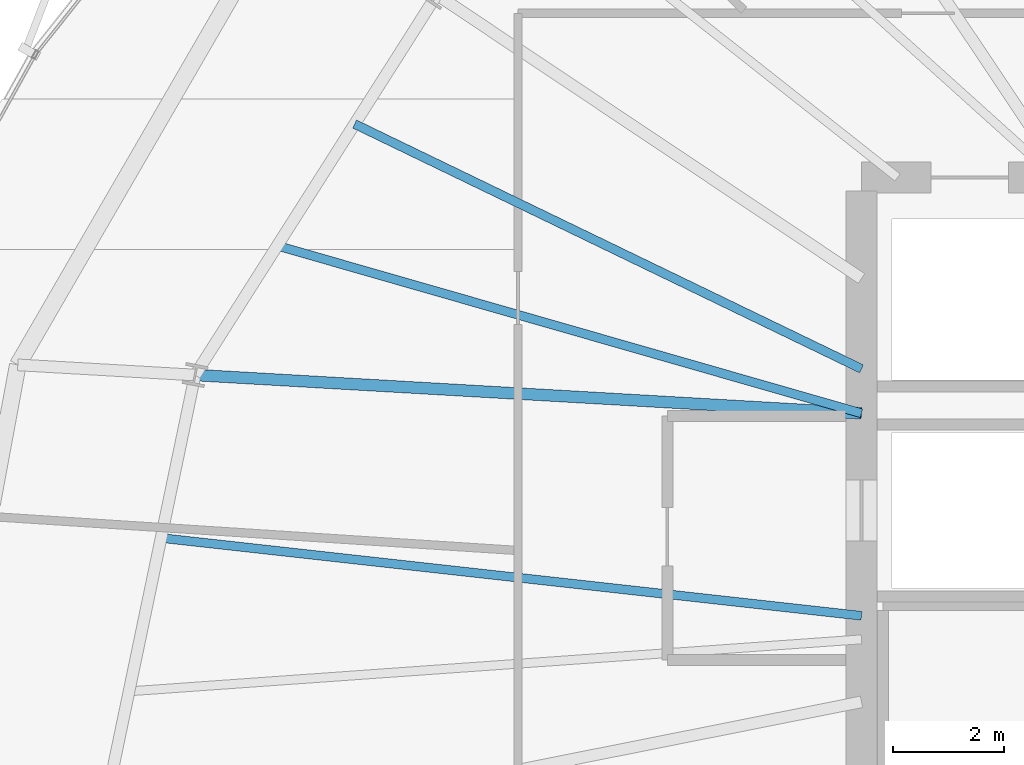
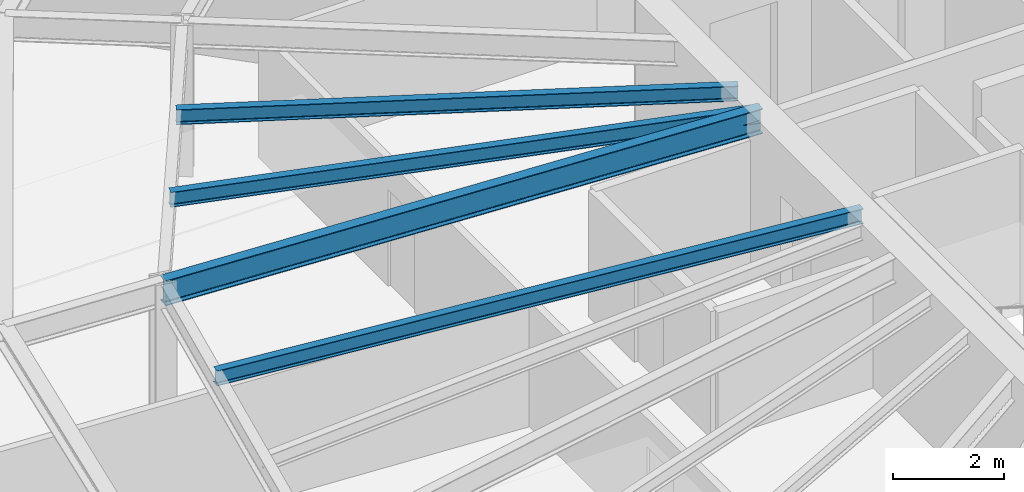
# One storey, part 10 of 35: 4 beams.
"""IFC4 building model written with IfcOpenShell, lengths in metres."""

from ifc_helpers import new_model, si_unit, direction, frame, origin, origin_2d, place, context, subcontext, project, spatial, i_section, extrude, source, transform, mapped, material, material_profile, profile_set, type_object, element, save


model = new_model("IFC4")

# Units and contexts
model_context = context("Model", 3, precision=1e-05, world=origin(), true_north=direction((0.0, 1.0)))
body_context = subcontext(model_context, "Body", "Model", "MODEL_VIEW")
ifc_project = project(units=[si_unit("LENGTHUNIT", "METRE"), si_unit("AREAUNIT", "SQUARE_METRE"), si_unit("VOLUMEUNIT", "CUBIC_METRE"), si_unit("PLANEANGLEUNIT", "RADIAN"), si_unit("MASSUNIT", "GRAM", prefix="KILO"), si_unit("THERMODYNAMICTEMPERATUREUNIT", "KELVIN")], contexts=[model_context])

# Site, building, storey
site_placement = place(None, origin())
site = spatial("IfcSite", under=ifc_project, at=site_placement, CompositionType="ELEMENT")
building_placement = place(site_placement, origin())
building = spatial("IfcBuilding", under=site, at=building_placement, Name="Kethvar Cultural Tower", CompositionType="ELEMENT")
storey_placement = place(building_placement, frame((0.0, 0.0, 121.60009765625)))
storey = spatial("IfcBuildingStorey", under=building, at=storey_placement, Name="L30", CompositionType="ELEMENT", Elevation=121.60009765625)

# Beams
ifc_material = material(Name="Steel S355J2", Category="steel")
ifc_material_profile_1 = material_profile(ifc_material, i_section(OverallWidth=0.2099609375, OverallDepth=0.550048828125, WebThickness=0.010986328125, FlangeThickness=0.01708984375, FilletRadius=0.02392578125, at=origin_2d()), Name="Steel S355J2 — IPE550")
ifc_profile_set_1 = profile_set([ifc_material_profile_1], Name="Steel S355J2 — IPE550")
beam_type_1 = type_object("IfcBeamType", Name="BM-IPE550", PredefinedType="BEAM", material=ifc_profile_set_1)
shared_shape_1 = source(origin(), body_context, "Body", "SweptSolid", [
    extrude(i_section(OverallWidth=0.2099609375, OverallDepth=0.550048828125, WebThickness=0.010986328125, FlangeThickness=0.01708984375, FilletRadius=0.02392578125, at=origin_2d()), origin(), (0.0, 0.0, 1.0), 12.03125),
])
beam_1_placement = place(storey_placement, frame((38.0, 31.25, 3.072998046875), z_axis=(-0.998355544741, 0.057325441856, 0.0), x_axis=(-0.057325441856, -0.998355544741, 0.0)))
element("IfcBeam", 1, at=beam_1_placement, inside=storey, type_object=beam_type_1, Name="L30 Primary Radial Beam RB-08", PredefinedType="BEAM", context=body_context, shape_type="MappedRepresentation", body=[
    mapped(shared_shape_1, transform((0.0, 0.0, 0.0), scale=1.0)),
])
ifc_material_profile_2 = material_profile(ifc_material, i_section(OverallWidth=0.159912109375, OverallDepth=0.330078125, WebThickness=0.007568359375, FlangeThickness=0.011474609375, FilletRadius=0.01806640625, at=origin_2d()), Name="Steel S355J2 — IPE330")
ifc_profile_set_2 = profile_set([ifc_material_profile_2], Name="Steel S355J2 — IPE330")
beam_type_2 = type_object("IfcBeamType", Name="BM-J330", PredefinedType="JOIST", material=ifc_profile_set_2)
shared_shape_2 = source(origin(), body_context, "Body", "SweptSolid", [
    extrude(i_section(OverallWidth=0.159912109375, OverallDepth=0.330078125, WebThickness=0.007568359375, FlangeThickness=0.011474609375, FilletRadius=0.01806640625, at=origin_2d()), origin(), (0.0, 0.0, 1.0), 10.1455078125),
])
beam_2_placement = place(storey_placement, frame((38.0, 32.05078125, 3.182861328125), z_axis=(-0.90045122575, 0.434956997927, 0.0), x_axis=(-0.434956997927, -0.90045122575, 0.0)))
element("IfcBeam", 2, at=beam_2_placement, inside=storey, type_object=beam_type_2, Name="L30 Composite Floor Joist J-07A", PredefinedType="JOIST", context=body_context, shape_type="MappedRepresentation", body=[
    mapped(shared_shape_2, transform((0.0, 0.0, 0.0), scale=1.0)),
])
shared_shape_3 = source(origin(), body_context, "Body", "SweptSolid", [
    extrude(i_section(OverallWidth=0.159912109375, OverallDepth=0.330078125, WebThickness=0.007568359375, FlangeThickness=0.011474609375, FilletRadius=0.01806640625, at=origin_2d()), origin(), (0.0, 0.0, 1.0), 10.95458984375),
])
beam_3_placement = place(storey_placement, frame((38.0, 31.25, 3.182861328125), z_axis=(-0.96124170623, 0.275707058676, 0.0), x_axis=(-0.275707058676, -0.96124170623, 0.0)))
element("IfcBeam", 3, at=beam_3_placement, inside=storey, type_object=beam_type_2, Name="L30 Composite Floor Joist J-07B", PredefinedType="JOIST", context=body_context, shape_type="MappedRepresentation", body=[
    mapped(shared_shape_3, transform((0.0, 0.0, 0.0), scale=1.0)),
])
shared_shape_4 = source(origin(), body_context, "Body", "SweptSolid", [
    extrude(i_section(OverallWidth=0.159912109375, OverallDepth=0.330078125, WebThickness=0.007568359375, FlangeThickness=0.011474609375, FilletRadius=0.01806640625, at=origin_2d()), origin(), (0.0, 0.0, 1.0), 12.7021484375),
])
beam_4_placement = place(storey_placement, frame((38.0, 27.60009765625, 3.182861328125), z_axis=(-0.993884906591, 0.110420978309, 0.0), x_axis=(-0.110420978309, -0.993884906591, 0.0)))
element("IfcBeam", 4, at=beam_4_placement, inside=storey, type_object=beam_type_2, Name="L30 Composite Floor Joist J-08A", PredefinedType="JOIST", context=body_context, shape_type="MappedRepresentation", body=[
    mapped(shared_shape_4, transform((0.0, 0.0, 0.0), scale=1.0)),
])

save(model, "model.ifc")
